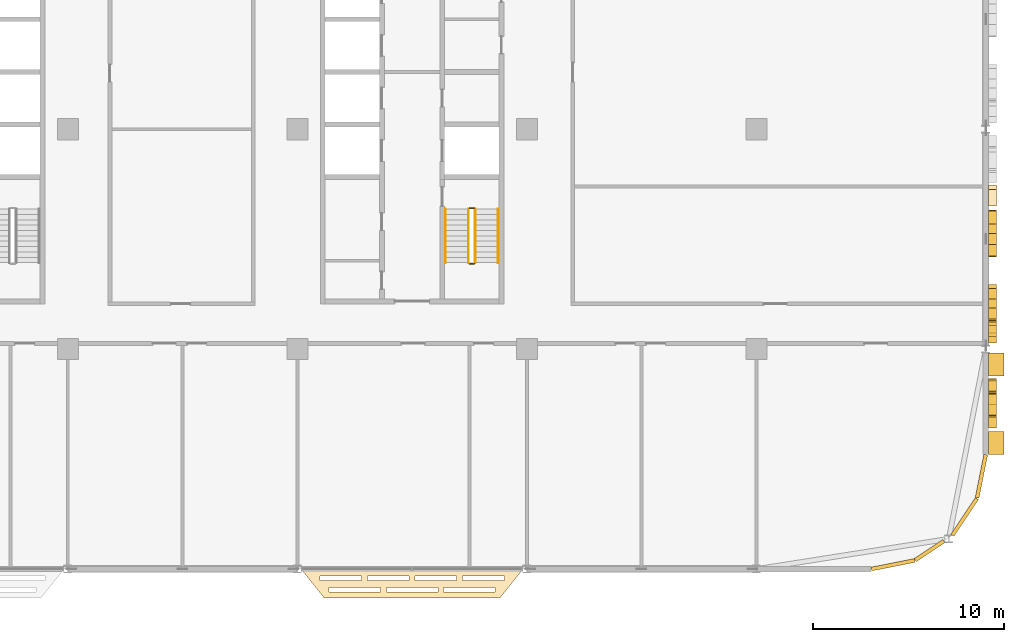
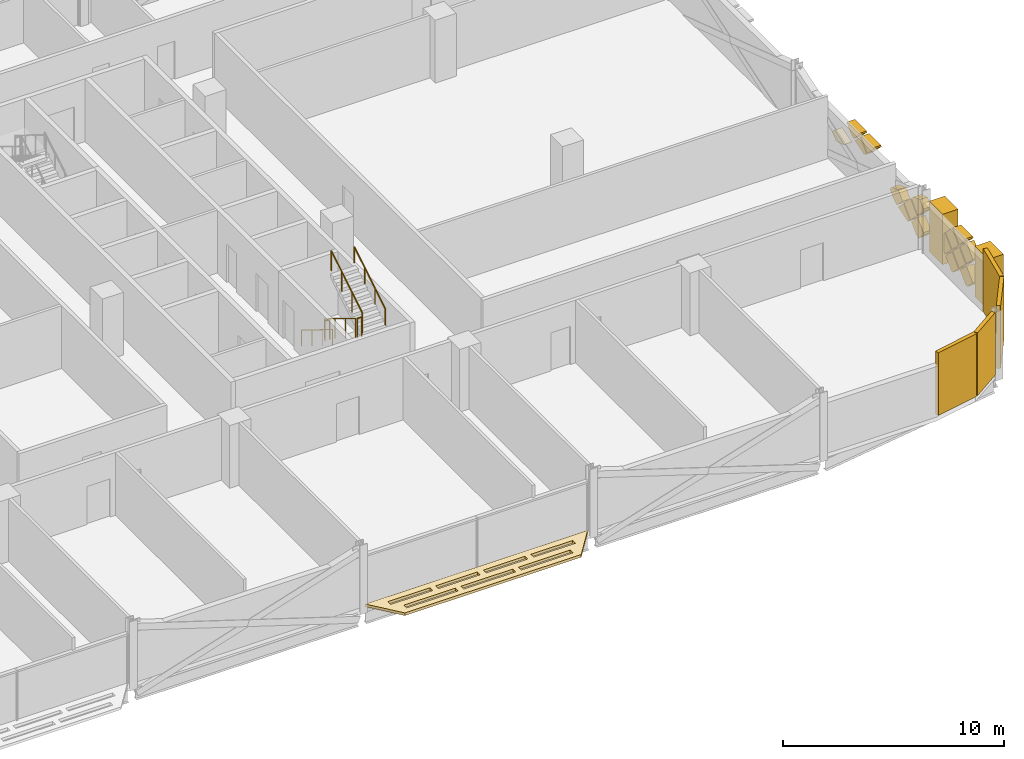
# One storey, part 29 of 30: 23 coverings, 6 railings.
"""IFC4 building model written with IfcOpenShell, lengths in metres."""

from ifc_helpers import new_model, si_unit, direction, frame, origin, origin_2d, place, context, subcontext, project, spatial, polyline, rectangle, circle, outline, extrude, material, layer, layer_set, type_object, element, save


model = new_model("IFC4")

# Units and contexts
model_context = context("Model", 3, precision=1e-05, world=origin(), true_north=direction((0.0, 1.0)))
body_context = subcontext(model_context, "Body", "Model", "MODEL_VIEW")
ifc_project = project(units=[si_unit("LENGTHUNIT", "METRE"), si_unit("AREAUNIT", "SQUARE_METRE"), si_unit("VOLUMEUNIT", "CUBIC_METRE"), si_unit("PLANEANGLEUNIT", "RADIAN"), si_unit("MASSUNIT", "GRAM", prefix="KILO")], contexts=[model_context])

# Site, building, storey
site_placement = place(None, origin())
site = spatial("IfcSite", under=ifc_project, at=site_placement, CompositionType="ELEMENT")
building_placement = place(site_placement, origin())
building = spatial("IfcBuilding", under=site, at=building_placement, Name="Mahtab Terrace Research Tower", CompositionType="ELEMENT")
storey_placement = place(building_placement, frame((0.0, 0.0, 201.5)))
storey = spatial("IfcBuildingStorey", under=building, at=storey_placement, Name="L48", CompositionType="ELEMENT", Elevation=201.5)

# Coverings
ifc_material_1 = material(Name="Black aluminium cladding panel", Category="aluminium")
ifc_layer_1 = layer(ifc_material_1, 0.199951171875)
ifc_layer_set_1 = layer_set([ifc_layer_1], Name="Black metal corner cladding 200")
covering_type_1 = type_object("IfcCoveringType", Name="Black metal corner cladding 200", PredefinedType="CLADDING", material=ifc_layer_set_1)
covering_1_placement = place(storey_placement, frame((49.14794921875, -22.771484375, 0.0), z_axis=(0.0, 0.0, 1.0), x_axis=(0.980760981187, 0.195212442692, 0.0)))
element("IfcCovering", 1, at=covering_1_placement, inside=storey, type_object=covering_type_1, Name="Corner cladding L48 31", PredefinedType="CLADDING", context=body_context, shape_type="SweptSolid", body=[
    extrude(rectangle(XDim=2.30126953125, YDim=0.199951171875, at=origin_2d()), origin(), (0.0, 0.0, 1.0), 3.4599609375),
])
covering_2_placement = place(storey_placement, frame((51.059814453125, -22.032958984375, 0.0), z_axis=(0.0, 0.0, 1.0), x_axis=(0.831655794326, 0.555291490808, 0.0)))
element("IfcCovering", 2, at=covering_2_placement, inside=storey, type_object=covering_type_1, Name="Corner cladding L48 32", PredefinedType="CLADDING", context=body_context, shape_type="SweptSolid", body=[
    extrude(rectangle(XDim=1.797119140625, YDim=0.199951171875, at=origin_2d()), origin(), (0.0, 0.0, 1.0), 3.4599609375),
])
for number, where, z_axis, x_axis, name in (
    (3, (52.89306640625, -20.26953125, 0.0), (0.0, 0.0, 1.0), (0.555291490808, 0.831655794326, 0.0), "Corner cladding L48 33"),
    (4, (53.771484375, -18.14794921875, 0.0), (0.0, 0.0, 1.0), (0.195212442692, 0.980760981187, 0.0), "Corner cladding L48 34"),
):
    element("IfcCovering", number, at=place(storey_placement, frame(where, z_axis=z_axis, x_axis=x_axis)), inside=storey, type_object=covering_type_1, Name=name, PredefinedType="CLADDING", context=body_context, shape_type="SweptSolid", body=[
        extrude(rectangle(XDim=2.30126953125, YDim=0.199951171875, at=origin_2d()), origin(), (0.0, 0.0, 1.0), 3.4599609375),
    ])
ifc_material_2 = material(Name="Black anodised aluminium", Category="aluminium")
ifc_layer_2 = layer(ifc_material_2, 0.14990234375)
ifc_layer_set_2 = layer_set([ifc_layer_2], Name="Horizontal sunshade band")
covering_type_2 = type_object("IfcCoveringType", Name="Horizontal sunshade band", PredefinedType="CLADDING", material=ifc_layer_set_2)
covering_3_placement = place(storey_placement, frame((0.0, 0.0, -0.14990234375)))
element("IfcCovering", 5, at=covering_3_placement, inside=storey, type_object=covering_type_2, Name="Sunshade band L48 28", PredefinedType="CLADDING", context=body_context, shape_type="SweptSolid", body=[
    extrude(outline(polyline([(18.199951171875, -23.0), (29.800048828125, -23.0), (28.60009765625, -24.5), (19.39990234375, -24.5), (18.199951171875, -23.0)]), holes=[polyline([(19.179931640625, -23.35009765625), (21.364990234375, -23.35009765625), (21.364990234375, -23.60009765625), (19.179931640625, -23.60009765625), (19.179931640625, -23.35009765625)]), polyline([(21.6650390625, -23.35009765625), (23.85009765625, -23.35009765625), (23.85009765625, -23.60009765625), (21.6650390625, -23.60009765625), (21.6650390625, -23.35009765625)]), polyline([(24.14990234375, -23.35009765625), (26.3349609375, -23.35009765625), (26.3349609375, -23.60009765625), (24.14990234375, -23.60009765625), (24.14990234375, -23.35009765625)]), polyline([(26.635009765625, -23.35009765625), (28.820068359375, -23.35009765625), (28.820068359375, -23.60009765625), (26.635009765625, -23.60009765625), (26.635009765625, -23.35009765625)]), polyline([(19.659912109375, -23.949951171875), (22.35302734375, -23.949951171875), (22.35302734375, -24.199951171875), (19.659912109375, -24.199951171875), (19.659912109375, -23.949951171875)]), polyline([(22.653076171875, -23.949951171875), (25.346923828125, -23.949951171875), (25.346923828125, -24.199951171875), (22.653076171875, -24.199951171875), (22.653076171875, -23.949951171875)]), polyline([(25.64697265625, -23.949951171875), (28.340087890625, -23.949951171875), (28.340087890625, -24.199951171875), (25.64697265625, -24.199951171875), (25.64697265625, -23.949951171875)])]), origin(), (0.0, 0.0, 1.0), 0.14990234375),
])
ifc_material_3 = material(Name="Bronze anodised aluminium", Category="aluminium")
ifc_layer_3 = layer(ifc_material_3, 0.39990234375)
ifc_layer_set_3 = layer_set([ifc_layer_3], Name="Mashrabiya relief panel 400")
covering_type_3 = type_object("IfcCoveringType", Name="Mashrabiya relief panel 400", PredefinedType="CLADDING", material=ifc_layer_set_3)
covering_4_placement = place(storey_placement, frame((54.14990234375, -15.6298828125, 0.64990234375), z_axis=(-1.0, 0.0, 0.0), x_axis=(0.0, 0.706957932274, 0.707255598772)))
element("IfcCovering", 6, at=covering_4_placement, inside=storey, type_object=covering_type_3, Name="Mashrabiya lattice cell L48 E35.1", PredefinedType="CLADDING", context=body_context, shape_type="SweptSolid", body=[
    extrude(outline(polyline([(0.0, 0.0), (0.8201817362875763, 0.0), (0.8200090664636573, 0.8203543334390104), (0.0916684182924955, 0.820028397344618), (-0.0001532662704735177, 0.7281680510197277), (0.0, 0.0)])), origin(), (0.0, 0.0, -1.0), 0.39990234375),
])
covering_5_placement = place(storey_placement, frame((54.14990234375, -15.050048828125, 2.530029296875), z_axis=(-1.0, 0.0, 0.0), x_axis=(0.0, 0.707106781187, -0.707106781187)))
element("IfcCovering", 7, at=covering_5_placement, inside=storey, type_object=covering_type_3, Name="Mashrabiya lattice cell L48 E35.2", PredefinedType="CLADDING", context=body_context, shape_type="SweptSolid", body=[
    extrude(outline(polyline([(0.0, 0.0), (0.8203543516109556, 0.0), (0.820181718119455, 0.820181718119455), (0.0001726334915006511, 0.820181718119455), (0.0, 0.0)])), origin(), (0.0, 0.0, -1.0), 0.39990234375),
])
covering_6_placement = place(storey_placement, frame((54.14990234375, -14.39990234375, 1.8798828125), z_axis=(-1.0, 0.0, 0.0), x_axis=(0.0, 0.707106781187, -0.707106781187)))
element("IfcCovering", 8, at=covering_6_placement, inside=storey, type_object=covering_type_3, Name="Mashrabiya lattice cell L48 E35.3", PredefinedType="CLADDING", context=body_context, shape_type="SweptSolid", body=[
    extrude(outline(polyline([(0.0, 0.0), (0.8200090846279543, 0.0), (0.820181718119455, 0.820181718119455), (-0.0001726334915006511, 0.820181718119455), (0.0, 0.0)])), origin(), (0.0, 0.0, -1.0), 0.39990234375),
])
covering_7_placement = place(storey_placement, frame((54.14990234375, -13.820068359375, 2.60009765625), z_axis=(-1.0, 0.0, 0.0), x_axis=(0.0, -0.706957932274, -0.707255598772)))
element("IfcCovering", 9, at=covering_7_placement, inside=storey, type_object=covering_type_3, Name="Mashrabiya lattice cell L48 E35.4", PredefinedType="CLADDING", context=body_context, shape_type="SweptSolid", body=[
    extrude(outline(polyline([(0.0, 0.0), (0.8201817362875763, 0.0), (0.8200090664636573, 0.8203543334390104), (0.7537178071958586, 0.8203403803219261), (-1.3953117084360145e-05, 0.06629125926779883), (0.0, 0.0)])), origin(), (0.0, 0.0, -1.0), 0.39990234375),
])
covering_8_placement = place(storey_placement, frame((54.14990234375, -14.330078125, 0.64990234375), z_axis=(-1.0, 0.0, 0.0), x_axis=(0.0, 0.707106781187, 0.707106781187)))
element("IfcCovering", 10, at=covering_8_placement, inside=storey, type_object=covering_type_3, Name="Mashrabiya lattice cell L48 E35.5", PredefinedType="CLADDING", context=body_context, shape_type="SweptSolid", body=[
    extrude(outline(polyline([(0.0, 0.0), (0.8203543516109556, 0.0), (0.8203543516109556, 0.8203543516109556), (0.0920136509698315, 0.820181718119455), (0.0001726334915005956, 0.728340700641124), (0.0, 0.0)])), origin(), (0.0, 0.0, -1.0), 0.39990234375),
])
covering_9_placement = place(storey_placement, frame((54.14990234375, -13.75, 2.530029296875), z_axis=(-1.0, 0.0, 0.0), x_axis=(0.0, 0.707106781187, -0.707106781187)))
element("IfcCovering", 11, at=covering_9_placement, inside=storey, type_object=covering_type_3, Name="Mashrabiya lattice cell L48 E35.6", PredefinedType="CLADDING", context=body_context, shape_type="SweptSolid", body=[
    extrude(outline(polyline([(0.0, 0.0), (0.8203543516109556, 0.0), (0.820181718119455, 0.820181718119455), (0.0, 0.8203543516109556), (0.0, 0.0)])), origin(), (0.0, 0.0, -1.0), 0.39990234375),
])
covering_10_placement = place(storey_placement, frame((54.14990234375, -13.10009765625, 0.719970703125), z_axis=(-1.0, 0.0, 0.0), x_axis=(0.0, -0.706957932274, 0.707255598772)))
element("IfcCovering", 12, at=covering_10_placement, inside=storey, type_object=covering_type_3, Name="Mashrabiya lattice cell L48 E35.7", PredefinedType="CLADDING", context=body_context, shape_type="SweptSolid", body=[
    extrude(outline(polyline([(0.0, 0.0), (0.8201817362875763, 0.0), (0.8203543334390104, 0.8200090664636573), (0.7283407208436468, 0.8202010671685369), (-0.00015326627047352465, 0.09201368526784859), (0.0, 0.0)])), origin(), (0.0, 0.0, -1.0), 0.39990234375),
])
covering_11_placement = place(storey_placement, frame((54.14990234375, -11.1650390625, 0.5849609375), z_axis=(-1.0, 0.0, 0.0), x_axis=(0.0, 0.0, 1.0)))
element("IfcCovering", 13, at=covering_11_placement, inside=storey, type_object=covering_type_3, Name="Mashrabiya lattice cell L48 E36.1", PredefinedType="CLADDING", context=body_context, shape_type="SweptSolid", body=[
    extrude(outline(polyline([(0.0, 0.0), (0.130126953125, 0.0), (0.64501953125, 0.51513671875), (0.06494140625, 1.094970703125), (-0.373046875, 0.656982421875), (-0.44287109375, 0.443115234375), (0.0, 0.0)])), origin(), (0.0, 0.0, -1.0), 0.39990234375),
])
covering_12_placement = place(storey_placement, frame((54.14990234375, -10.070068359375, 1.949951171875), z_axis=(-1.0, 0.0, 0.0), x_axis=(0.0, -0.707106781187, -0.707106781187)))
element("IfcCovering", 14, at=covering_12_placement, inside=storey, type_object=covering_type_3, Name="Mashrabiya lattice cell L48 E36.2", PredefinedType="CLADDING", context=body_context, shape_type="SweptSolid", body=[
    extrude(outline(polyline([(0.0, 0.0), (0.8200090846279543, 0.0), (0.820181718119455, 0.7283407006411241), (0.7283407006411241, 0.820181718119455), (0.26861771277496777, 0.8203543516109555), (-0.00017263349150062335, 0.2857084284335294), (0.0, 0.0)])), origin(), (0.0, 0.0, -1.0), 0.39990234375),
])
covering_13_placement = place(storey_placement, frame((54.14990234375, -10.0, 1.8798828125), z_axis=(-1.0, 0.0, 0.0), x_axis=(0.0, 0.707255598772, -0.706957932274)))
element("IfcCovering", 15, at=covering_13_placement, inside=storey, type_object=covering_type_3, Name="Mashrabiya lattice cell L48 E36.3", PredefinedType="CLADDING", context=body_context, shape_type="SweptSolid", body=[
    extrude(outline(polyline([(0.0, 0.0), (0.8201817362875763, 0.0), (0.8200090664636573, 0.8203543334390104), (-0.0003452669753531423, 0.8201816636150915), (0.0, 0.0)])), origin(), (0.0, 0.0, -1.0), 0.39990234375),
])
covering_14_placement = place(storey_placement, frame((54.14990234375, -9.929931640625, 0.64990234375), z_axis=(-1.0, 0.0, 0.0), x_axis=(0.0, 0.706957932274, 0.707255598772)))
element("IfcCovering", 16, at=covering_14_placement, inside=storey, type_object=covering_type_3, Name="Mashrabiya lattice cell L48 E36.4", PredefinedType="CLADDING", context=body_context, shape_type="SweptSolid", body=[
    extrude(outline(polyline([(0.0, 0.0), (0.8201817362875763, 0.0), (0.8200397342522491, 0.6746516698399944), (0.00011729339049040832, 0.26292083806764244), (0.0, 0.0)])), origin(), (0.0, 0.0, -1.0), 0.39990234375),
])
covering_15_placement = place(storey_placement, frame((54.14990234375, -9.280029296875, 1.300048828125), z_axis=(-1.0, 0.0, 0.0), x_axis=(0.0, 0.707106781187, 0.707106781187)))
element("IfcCovering", 17, at=covering_15_placement, inside=storey, type_object=covering_type_3, Name="Mashrabiya lattice cell L48 E36.5", PredefinedType="CLADDING", context=body_context, shape_type="SweptSolid", body=[
    extrude(outline(polyline([(0.0, 0.0), (0.5572609105640077, 0.0), (0.820181718119455, 0.5232521127383852), (0.820181718119455, 0.820181718119455), (0.18955157366768288, 0.8203543516109555), (0.0, 0.7254059312856135), (0.0, 0.0)])), origin(), (0.0, 0.0, -1.0), 0.39990234375),
])
covering_16_placement = place(storey_placement, frame((54.14990234375, -5.52001953125, 2.60009765625), z_axis=(-1.0, 0.0, 0.0), x_axis=(0.0, -0.707106781187, -0.707106781187)))
element("IfcCovering", 18, at=covering_16_placement, inside=storey, type_object=covering_type_3, Name="Mashrabiya lattice cell L48 E36.6", PredefinedType="CLADDING", context=body_context, shape_type="SweptSolid", body=[
    extrude(outline(polyline([(0.0, 0.0), (0.8203543516109556, 0.0), (0.820181718119455, 0.820181718119455), (0.753890457383216, 0.820181718119455), (0.0, 0.06629126073623884), (0.0, 0.0)])), origin(), (0.0, 0.0, -1.0), 0.39990234375),
])
covering_17_placement = place(storey_placement, frame((54.14990234375, -6.030029296875, 1.949951171875), z_axis=(-1.0, 0.0, 0.0), x_axis=(0.0, 0.707106781187, 0.707106781187)))
element("IfcCovering", 19, at=covering_17_placement, inside=storey, type_object=covering_type_3, Name="Mashrabiya lattice cell L48 E36.7", PredefinedType="CLADDING", context=body_context, shape_type="SweptSolid", body=[
    extrude(outline(polyline([(0.0, 0.0), (0.8203543516109556, 0.0), (0.820181718119455, 0.687253929663976), (0.08061984053079047, 0.31540138897163633), (0.00017263349150060947, 0.1541617079100554), (0.0, 0.0)])), origin(), (0.0, 0.0, -1.0), 0.39990234375),
])
covering_18_placement = place(storey_placement, frame((54.14990234375, -5.3798828125, 2.60009765625), z_axis=(-1.0, 0.0, 0.0), x_axis=(0.0, 0.707106781187, 0.707106781187)))
element("IfcCovering", 20, at=covering_18_placement, inside=storey, type_object=covering_type_3, Name="Mashrabiya lattice cell L48 E36.8", PredefinedType="CLADDING", context=body_context, shape_type="SweptSolid", body=[
    extrude(outline(polyline([(0.0, 0.0), (0.06629126073623884, 0.0), (0.8200090846279544, 0.7537178238917155), (0.820181718119455, 0.820181718119455), (0.16521025136609524, 0.820181718119455), (0.0, 0.7367997417246546), (0.0, 0.0)])), origin(), (0.0, 0.0, -1.0), 0.39990234375),
])
covering_19_placement = place(storey_placement, frame((54.14990234375, -4.011962890625, 1.23193359375), z_axis=(-1.0, 0.0, 0.0), x_axis=(0.0, 0.94953050897, 0.313674692213)))
element("IfcCovering", 21, at=covering_19_placement, inside=storey, type_object=covering_type_3, Name="Mashrabiya lattice cell L48 E36.9", PredefinedType="CLADDING", context=body_context, shape_type="SweptSolid", body=[
    extrude(outline(polyline([(0.0, 0.0), (0.918422635462074, 0.0), (1.0582922865602675, 0.2778681362954079), (0.6299250930926521, 0.4934940468119349), (0.020957161929252083, 0.041633960488213176), (0.0, 0.0)])), origin(), (0.0, 0.0, -1.0), 0.39990234375),
])
ifc_material_4 = material(Name="Glazed ceramic tile cladding", Category="masonry")
ifc_layer_4 = layer(ifc_material_4, 0.800048828125)
ifc_layer_set_4 = layer_set([ifc_layer_4], Name="Pishtaq frame pier 800")
covering_type_4 = type_object("IfcCoveringType", Name="Pishtaq frame pier 800", PredefinedType="CLADDING", material=ifc_layer_set_4)
for number, where, z_axis, x_axis, name in (
    (22, (54.550048828125, -16.39990234375, 0.0), (0.0, 0.0, 1.0), (0.0, 1.0, 0.0), "Pishtaq frame pier 35a"),
    (23, (54.550048828125, -12.300048828125, 0.0), (0.0, 0.0, 1.0), (0.0, 1.0, 0.0), "Pishtaq frame pier 35b"),
):
    element("IfcCovering", number, at=place(storey_placement, frame(where, z_axis=z_axis, x_axis=x_axis)), inside=storey, type_object=covering_type_4, Name=name, PredefinedType="CLADDING", context=body_context, shape_type="SweptSolid", body=[
        extrude(rectangle(XDim=1.199951171875, YDim=0.800048828125, at=origin_2d()), origin(), (0.0, 0.0, 1.0), 2.781982421875),
    ])

# Railings
ifc_material_5 = material(Name="Stainless steel AISI 304", Category="steel")
railing_type_1 = type_object("IfcRailingType", Name="Stair guard 1100", PredefinedType="GUARDRAIL", material=ifc_material_5)
railing_1_placement = place(storey_placement, frame((26.949951171875, -4.175048828125, 0.172607421875)))
element("IfcRailing", 24, at=railing_1_placement, inside=storey, type_object=railing_type_1, Name="L48 ST4 stair guard 1", PredefinedType="GUARDRAIL", context=body_context, shape_type="SweptSolid", body=[
    extrude(circle(Radius=0.02392578125, at=origin_2d()), frame((0.0, 0.0, 1.076171875), z_axis=(0.0, -0.851089632645, 0.525020415988), x_axis=(1.0, 0.0, 0.0)), (0.0, 0.0, 1.0), 3.2900390625),
    extrude(circle(Radius=0.02099609375, at=origin_2d()), origin(), (0.0, 0.0, 1.0), 1.052001953125),
    extrude(circle(Radius=0.02099609375, at=origin_2d()), frame((0.0, -0.933349609375, 0.57568359375)), (0.0, 0.0, 1.0), 1.052001953125),
    extrude(circle(Radius=0.02099609375, at=origin_2d()), frame((0.0, -1.86669921875, 1.151611328125)), (0.0, 0.0, 1.0), 1.052001953125),
    extrude(circle(Radius=0.02099609375, at=origin_2d()), frame((0.0, -2.800048828125, 1.727294921875)), (0.0, 0.0, 1.0), 1.052001953125),
])
railing_2_placement = place(storey_placement, frame((27.0, -7.02490234375, 1.89990234375)))
element("IfcRailing", 25, at=railing_2_placement, inside=storey, type_object=railing_type_1, Name="L48 ST4 stair guard 2", PredefinedType="GUARDRAIL", context=body_context, shape_type="SweptSolid", body=[
    extrude(circle(Radius=0.02392578125, at=origin_2d()), frame((0.0, 0.0, 1.076171875), z_axis=(1.0, 0.0, 0.0), x_axis=(0.0, 1.0, 0.0)), (0.0, 0.0, 1.0), 0.25),
    extrude(circle(Radius=0.02099609375, at=origin_2d()), origin(), (0.0, 0.0, 1.0), 1.052001953125),
    extrude(circle(Radius=0.02099609375, at=origin_2d()), frame((0.25, 0.0, 0.0)), (0.0, 0.0, 1.0), 1.052001953125),
])
railing_3_placement = place(storey_placement, frame((27.300048828125, -6.97509765625, 2.07275390625)))
element("IfcRailing", 26, at=railing_3_placement, inside=storey, type_object=railing_type_1, Name="L48 ST4 stair guard 3", PredefinedType="GUARDRAIL", context=body_context, shape_type="SweptSolid", body=[
    extrude(circle(Radius=0.02392578125, at=origin_2d()), frame((0.0, 0.0, 1.076171875), z_axis=(0.0, 0.851089632645, 0.525020415988), x_axis=(-1.0, 0.0, 0.0)), (0.0, 0.0, 1.0), 3.2900390625),
    extrude(circle(Radius=0.02099609375, at=origin_2d()), origin(), (0.0, 0.0, 1.0), 1.052001953125),
    extrude(circle(Radius=0.02099609375, at=origin_2d()), frame((0.0, 0.933349609375, 0.57568359375)), (0.0, 0.0, 1.0), 1.052001953125),
    extrude(circle(Radius=0.02099609375, at=origin_2d()), frame((0.0, 1.86669921875, 1.151611328125)), (0.0, 0.0, 1.0), 1.052001953125),
    extrude(circle(Radius=0.02099609375, at=origin_2d()), frame((0.0, 2.800048828125, 1.727294921875)), (0.0, 0.0, 1.0), 1.052001953125),
])
railing_4_placement = place(storey_placement, frame((27.0, -4.125, 0.0)))
element("IfcRailing", 27, at=railing_4_placement, inside=storey, type_object=railing_type_1, Name="L48 ST4 stair guard 4", PredefinedType="GUARDRAIL", context=body_context, shape_type="SweptSolid", body=[
    extrude(circle(Radius=0.02392578125, at=origin_2d()), frame((0.0, 0.0, 1.076171875), z_axis=(1.0, 0.0, 0.0), x_axis=(0.0, 1.0, 0.0)), (0.0, 0.0, 1.0), 0.25),
    extrude(circle(Radius=0.02099609375, at=origin_2d()), origin(), (0.0, 0.0, 1.0), 1.052001953125),
    extrude(circle(Radius=0.02099609375, at=origin_2d()), frame((0.25, 0.0, 0.0)), (0.0, 0.0, 1.0), 1.052001953125),
])
railing_type_2 = type_object("IfcRailingType", Name="Stair handrail 900", PredefinedType="HANDRAIL", material=ifc_material_5)
railing_5_placement = place(storey_placement, frame((25.75, -4.175048828125, 0.172607421875)))
element("IfcRailing", 28, at=railing_5_placement, inside=storey, type_object=railing_type_2, Name="L48 ST4 stair handrail 1", PredefinedType="HANDRAIL", context=body_context, shape_type="SweptSolid", body=[
    extrude(circle(Radius=0.02392578125, at=origin_2d()), frame((0.0, 0.0, 0.8759765625), z_axis=(0.0, -0.851089632645, 0.525020415988), x_axis=(1.0, 0.0, 0.0)), (0.0, 0.0, 1.0), 3.2900390625),
    extrude(circle(Radius=0.02099609375, at=origin_2d()), origin(), (0.0, 0.0, 1.0), 0.851806640625),
    extrude(circle(Radius=0.02099609375, at=origin_2d()), frame((0.0, -0.933349609375, 0.57568359375)), (0.0, 0.0, 1.0), 0.851806640625),
    extrude(circle(Radius=0.02099609375, at=origin_2d()), frame((0.0, -1.86669921875, 1.151611328125)), (0.0, 0.0, 1.0), 0.851806640625),
    extrude(circle(Radius=0.02099609375, at=origin_2d()), frame((0.0, -2.800048828125, 1.727294921875)), (0.0, 0.0, 1.0), 0.851806640625),
])
railing_6_placement = place(storey_placement, frame((28.5, -6.97509765625, 2.07275390625)))
element("IfcRailing", 29, at=railing_6_placement, inside=storey, type_object=railing_type_2, Name="L48 ST4 stair handrail 2", PredefinedType="HANDRAIL", context=body_context, shape_type="SweptSolid", body=[
    extrude(circle(Radius=0.02392578125, at=origin_2d()), frame((0.0, 0.0, 0.8759765625), z_axis=(0.0, 0.851089632645, 0.525020415988), x_axis=(-1.0, 0.0, 0.0)), (0.0, 0.0, 1.0), 3.2900390625),
    extrude(circle(Radius=0.02099609375, at=origin_2d()), origin(), (0.0, 0.0, 1.0), 0.851806640625),
    extrude(circle(Radius=0.02099609375, at=origin_2d()), frame((0.0, 0.933349609375, 0.57568359375)), (0.0, 0.0, 1.0), 0.851806640625),
    extrude(circle(Radius=0.02099609375, at=origin_2d()), frame((0.0, 1.86669921875, 1.151611328125)), (0.0, 0.0, 1.0), 0.851806640625),
    extrude(circle(Radius=0.02099609375, at=origin_2d()), frame((0.0, 2.800048828125, 1.727294921875)), (0.0, 0.0, 1.0), 0.851806640625),
])

save(model, "model.ifc")
